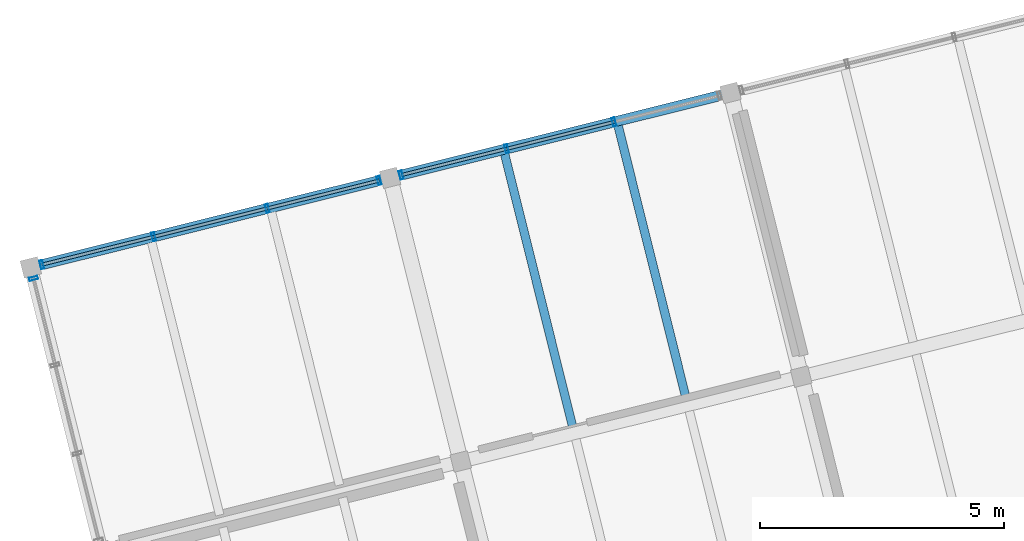
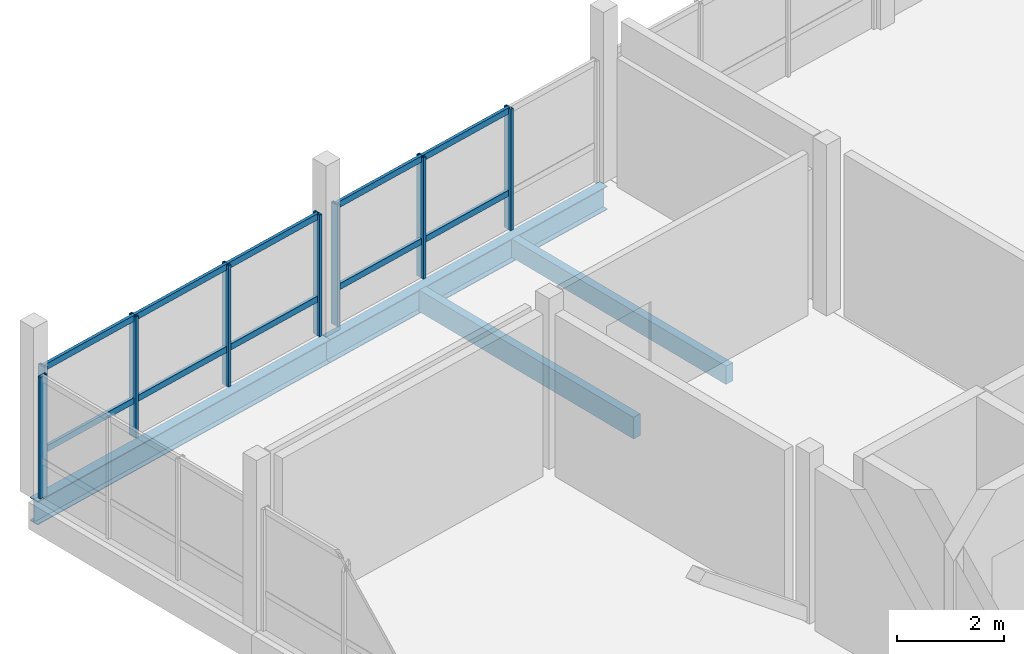
# One storey, part 15 of 26: 18 members, 4 beams, 3 elements without a shape of their own.
"""IFC4 building model written with IfcOpenShell, lengths in metres."""

from ifc_helpers import new_model, si_unit, direction, frame, origin, origin_2d, place, context, subcontext, project, spatial, rectangle, hollow_rectangle, i_section, extrude, material, layer, layer_set, material_profile, profile_set, type_object, element, aggregate, save


model = new_model("IFC4")

# Units and contexts
model_context = context("Model", 3, precision=1e-05, world=origin(), true_north=direction((0.0, 1.0)))
body_context = subcontext(model_context, "Body", "Model", "MODEL_VIEW")
ifc_project = project(units=[si_unit("LENGTHUNIT", "METRE"), si_unit("AREAUNIT", "SQUARE_METRE"), si_unit("VOLUMEUNIT", "CUBIC_METRE"), si_unit("PLANEANGLEUNIT", "RADIAN"), si_unit("MASSUNIT", "GRAM", prefix="KILO")], contexts=[model_context])

# Site, building, storey
site_placement = place(None, origin())
site = spatial("IfcSite", under=ifc_project, at=site_placement, CompositionType="ELEMENT")
building_placement = place(site_placement, origin())
building = spatial("IfcBuilding", under=site, at=building_placement, Name="Meriwether Solvik Hall", CompositionType="ELEMENT")
storey_placement = place(building_placement, frame((0.0, 0.0, 41.699951171875)))
storey = spatial("IfcBuildingStorey", under=building, at=storey_placement, Name="L10", CompositionType="ELEMENT", Elevation=41.699951171875)

# Beams
ifc_material_1 = material(Name="Steel A992 Grade 50", Category="steel")
ifc_material_profile_1 = material_profile(ifc_material_1, i_section(OverallWidth=0.2099609375, OverallDepth=0.537109375, WebThickness=0.010986328125, FlangeThickness=0.017333984375, at=origin_2d()), Name="W21X68")
ifc_profile_set_1 = profile_set([ifc_material_profile_1], Name="Steel A992 Grade 50")
beam_type_1 = type_object("IfcBeamType", Name="BM-STL-W21X68", PredefinedType="SPANDREL", material=ifc_profile_set_1)
beam_1_placement = place(storey_placement, frame((60.374755859375, 74.18994140625, -0.448486328125), z_axis=(0.970295366785, 0.241923337436, 0.0), x_axis=(-0.241923337436, 0.970295366785, 0.0)))
element("IfcBeam", 1, at=beam_1_placement, inside=storey, type_object=beam_type_1, Name="Tower Girder TF:T1-T2 (L10)", PredefinedType="SPANDREL", context=body_context, shape_type="SweptSolid", body=[
    extrude(i_section(OverallWidth=0.2099609375, OverallDepth=0.537109375, WebThickness=0.010986328125, FlangeThickness=0.017333984375, at=origin_2d()), origin(), (0.0, 0.0, 1.0), 7.60009765625),
])
beam_2_placement = place(storey_placement, frame((67.7490234375, 76.028564453125, -0.448486328125), z_axis=(0.970291911955, 0.241937193493, 0.0), x_axis=(-0.241937193493, 0.970291911955, 0.0)))
element("IfcBeam", 2, at=beam_2_placement, inside=storey, type_object=beam_type_1, Name="Tower Girder TF:T2-T3 (L10)", PredefinedType="SPANDREL", context=body_context, shape_type="SweptSolid", body=[
    extrude(i_section(OverallWidth=0.2099609375, OverallDepth=0.537109375, WebThickness=0.010986328125, FlangeThickness=0.017333984375, at=origin_2d()), origin(), (0.0, 0.0, 1.0), 7.199951171875),
])

# Curtain wall, members
ifc_material_2 = material(Name="Thermally Broken Anodised Aluminium 6063-T6 and Low-E Glass", Category="aluminium")
ifc_layer_1 = layer(ifc_material_2, 0.179931640625)
ifc_layer_set_1 = layer_set([ifc_layer_1], Name="Thermally Broken Anodised Aluminium 6063-T6 and Low-E Glass")
curtain_wall_type_1 = type_object("IfcCurtainWallType", Name="CW-UNIT-G", PredefinedType="USERDEFINED", material=ifc_layer_set_1)
curtain_wall_1_placement = place(storey_placement, origin())
curtain_wall_1 = element("IfcCurtainWall", 3, at=curtain_wall_1_placement, inside=storey, type_object=curtain_wall_type_1, Name="Curtain Wall E6_B0 (L10)", ObjectType="UNITISED CURTAIN WALL", PredefinedType="USERDEFINED")
ifc_material_3 = material(Name="Anodised Aluminium 6063-T6", Category="aluminium")
ifc_material_profile_2 = material_profile(ifc_material_3, hollow_rectangle(XDim=0.06494140625, YDim=0.179931640625, WallThickness=0.00439453125, at=origin_2d()), Name="CWM-65X180")
ifc_profile_set_2 = profile_set([ifc_material_profile_2], Name="Anodised Aluminium 6063-T6")
member_type_1 = type_object("IfcMemberType", Name="CW-MUL-65X180", PredefinedType="MULLION", material=ifc_profile_set_2)
member_1_placement = place(storey_placement, frame((60.600341796875, 74.246337890625, 0.0), z_axis=(0.0, 0.0, 1.0), x_axis=(0.97029575617, 0.241921775701, 0.0)))
member_1 = element("IfcMember", 4, at=member_1_placement, type_object=member_type_1, Name="Curtain Wall Mullion 1", PredefinedType="MULLION", context=body_context, shape_type="SweptSolid", body=[
    extrude(hollow_rectangle(XDim=0.06494140625, YDim=0.179931640625, WallThickness=0.00439453125, at=origin_2d()), origin(), (0.0, 0.0, 1.0), 2.77001953125),
])
member_2_placement = place(storey_placement, frame((62.895751953125, 74.818603515625, 0.0), z_axis=(0.0, 0.0, 1.0), x_axis=(0.97029575617, 0.241921775701, 0.0)))
member_2 = element("IfcMember", 5, at=member_2_placement, type_object=member_type_1, Name="Curtain Wall Mullion 2", PredefinedType="MULLION", context=body_context, shape_type="SweptSolid", body=[
    extrude(hollow_rectangle(XDim=0.06494140625, YDim=0.179931640625, WallThickness=0.00439453125, at=origin_2d()), origin(), (0.0, 0.0, 1.0), 2.77001953125),
])
member_3_placement = place(storey_placement, frame((65.22802734375, 75.400146484375, 0.0), z_axis=(0.0, 0.0, 1.0), x_axis=(0.97029575617, 0.241921775701, 0.0)))
member_3 = element("IfcMember", 6, at=member_3_placement, type_object=member_type_1, Name="Curtain Wall Mullion 3", PredefinedType="MULLION", context=body_context, shape_type="SweptSolid", body=[
    extrude(hollow_rectangle(XDim=0.06494140625, YDim=0.179931640625, WallThickness=0.00439453125, at=origin_2d()), origin(), (0.0, 0.0, 1.0), 2.77001953125),
])
member_4_placement = place(storey_placement, frame((67.523193359375, 75.972412109375, 0.0), z_axis=(0.0, 0.0, 1.0), x_axis=(0.97029575617, 0.241921775701, 0.0)))
member_4 = element("IfcMember", 7, at=member_4_placement, type_object=member_type_1, Name="Curtain Wall Mullion 4", PredefinedType="MULLION", context=body_context, shape_type="SweptSolid", body=[
    extrude(hollow_rectangle(XDim=0.06494140625, YDim=0.179931640625, WallThickness=0.00439453125, at=origin_2d()), origin(), (0.0, 0.0, 1.0), 2.77001953125),
])

ifc_material_4 = material(Name="Thermally Broken Anodised Aluminium 6063-T6 and Low-E Glass", Category="aluminium")
ifc_layer_2 = layer(ifc_material_4, 0.179931640625)
ifc_layer_set_2 = layer_set([ifc_layer_2], Name="Thermally Broken Anodised Aluminium 6063-T6 and Low-E Glass")
curtain_wall_type_2 = type_object("IfcCurtainWallType", Name="CW-UNIT-A", PredefinedType="USERDEFINED", material=ifc_layer_set_2)
curtain_wall_2_placement = place(storey_placement, origin())
curtain_wall_2 = element("IfcCurtainWall", 8, at=curtain_wall_2_placement, inside=storey, type_object=curtain_wall_type_2, Name="Curtain Wall E6_B1 (L10)", ObjectType="UNITISED CURTAIN WALL", PredefinedType="USERDEFINED")
member_5_placement = place(storey_placement, frame((67.974609375, 76.0849609375, 0.0), z_axis=(0.0, 0.0, 1.0), x_axis=(0.970295725693, 0.241921897937, 0.0)))
member_5 = element("IfcMember", 9, at=member_5_placement, type_object=member_type_1, Name="Curtain Wall Mullion 1", PredefinedType="MULLION", context=body_context, shape_type="SweptSolid", body=[
    extrude(hollow_rectangle(XDim=0.06494140625, YDim=0.179931640625, WallThickness=0.00439453125, at=origin_2d()), origin(), (0.0, 0.0, 1.0), 2.77001953125),
])
member_6_placement = place(storey_placement, frame((70.140625, 76.625, 0.0), z_axis=(0.0, 0.0, 1.0), x_axis=(0.970295725693, 0.241921897937, 0.0)))
member_6 = element("IfcMember", 10, at=member_6_placement, type_object=member_type_1, Name="Curtain Wall Mullion 2", PredefinedType="MULLION", context=body_context, shape_type="SweptSolid", body=[
    extrude(hollow_rectangle(XDim=0.06494140625, YDim=0.179931640625, WallThickness=0.00439453125, at=origin_2d()), origin(), (0.0, 0.0, 1.0), 2.77001953125),
])
member_7_placement = place(storey_placement, frame((72.343505859375, 77.17431640625, 0.0), z_axis=(0.0, 0.0, 1.0), x_axis=(0.970295725693, 0.241921897937, 0.0)))
member_7 = element("IfcMember", 11, at=member_7_placement, type_object=member_type_1, Name="Curtain Wall Mullion 3", PredefinedType="MULLION", context=body_context, shape_type="SweptSolid", body=[
    extrude(hollow_rectangle(XDim=0.06494140625, YDim=0.179931640625, WallThickness=0.00439453125, at=origin_2d()), origin(), (0.0, 0.0, 1.0), 2.77001953125),
])

# Curtain wall, member
ifc_material_5 = material(Name="Thermally Broken Anodised Aluminium 6063-T6 and Low-E Glass", Category="aluminium")
ifc_layer_3 = layer(ifc_material_5, 0.179931640625)
ifc_layer_set_3 = layer_set([ifc_layer_3], Name="Thermally Broken Anodised Aluminium 6063-T6 and Low-E Glass")
curtain_wall_type_3 = type_object("IfcCurtainWallType", Name="CW-UNIT-E", PredefinedType="USERDEFINED", material=ifc_layer_set_3)
curtain_wall_3_placement = place(storey_placement, origin())
curtain_wall_3 = element("IfcCurtainWall", 12, at=curtain_wall_3_placement, inside=storey, type_object=curtain_wall_type_3, Name="Curtain Wall E7_B4 (L10)", ObjectType="UNITISED CURTAIN WALL", PredefinedType="USERDEFINED")
member_8_placement = place(storey_placement, frame((60.430908203125, 73.96435546875, 0.0), z_axis=(0.0, 0.0, 1.0), x_axis=(-0.241921949893, 0.970295712739, 0.0)))
member_8 = element("IfcMember", 13, at=member_8_placement, type_object=member_type_1, Name="Curtain Wall Mullion 4", PredefinedType="MULLION", context=body_context, shape_type="SweptSolid", body=[
    extrude(hollow_rectangle(XDim=0.06494140625, YDim=0.179931640625, WallThickness=0.00439453125, at=origin_2d()), origin(), (0.0, 0.0, 1.0), 2.77001953125),
])
aggregate(curtain_wall_3, [member_8])

# Member
ifc_material_6 = material(Name="Anodised Aluminium 6063-T6", Category="aluminium")
ifc_material_profile_3 = material_profile(ifc_material_6, hollow_rectangle(XDim=0.06494140625, YDim=0.139892578125, WallThickness=0.00439453125, at=origin_2d()), Name="CWT-65X140")
ifc_profile_set_3 = profile_set([ifc_material_profile_3], Name="Anodised Aluminium 6063-T6")
member_type_2 = type_object("IfcMemberType", Name="CW-TRN-65X140", PredefinedType="USERDEFINED", material=ifc_profile_set_3)
member_9_placement = place(storey_placement, frame((60.600341796875, 74.246337890625, 0.8310546875), z_axis=(0.970300132238, 0.241904223566, 0.0), x_axis=(-0.241904223566, 0.970300132238, 0.0)))
member_9 = element("IfcMember", 14, at=member_9_placement, type_object=member_type_2, Name="Curtain Wall Transom 1-sill", ObjectType="TRANSOM", PredefinedType="USERDEFINED", context=body_context, shape_type="SweptSolid", body=[
    extrude(hollow_rectangle(XDim=0.06494140625, YDim=0.139892578125, WallThickness=0.00439453125, at=origin_2d()), origin(), (0.0, 0.0, 1.0), 2.36572265625),
])

member_10_placement = place(storey_placement, frame((60.600341796875, 74.246337890625, 2.7099609375), z_axis=(0.970300132238, 0.241904223566, 0.0), x_axis=(-0.241904223566, 0.970300132238, 0.0)))
member_10 = element("IfcMember", 15, at=member_10_placement, type_object=member_type_2, Name="Curtain Wall Transom 1-head", ObjectType="TRANSOM", PredefinedType="USERDEFINED", context=body_context, shape_type="SweptSolid", body=[
    extrude(hollow_rectangle(XDim=0.06494140625, YDim=0.139892578125, WallThickness=0.00439453125, at=origin_2d()), origin(), (0.0, 0.0, 1.0), 2.36572265625),
])

member_11_placement = place(storey_placement, frame((62.895751953125, 74.818603515625, 0.8310546875), z_axis=(0.970291682811, 0.241938112473, 0.0), x_axis=(-0.241938112473, 0.970291682811, 0.0)))
member_11 = element("IfcMember", 16, at=member_11_placement, type_object=member_type_2, Name="Curtain Wall Transom 2-sill", ObjectType="TRANSOM", PredefinedType="USERDEFINED", context=body_context, shape_type="SweptSolid", body=[
    extrude(hollow_rectangle(XDim=0.06494140625, YDim=0.139892578125, WallThickness=0.00439453125, at=origin_2d()), origin(), (0.0, 0.0, 1.0), 2.403564453125),
])

member_12_placement = place(storey_placement, frame((62.895751953125, 74.818603515625, 2.7099609375), z_axis=(0.970291682811, 0.241938112473, 0.0), x_axis=(-0.241938112473, 0.970291682811, 0.0)))
member_12 = element("IfcMember", 17, at=member_12_placement, type_object=member_type_2, Name="Curtain Wall Transom 2-head", ObjectType="TRANSOM", PredefinedType="USERDEFINED", context=body_context, shape_type="SweptSolid", body=[
    extrude(hollow_rectangle(XDim=0.06494140625, YDim=0.139892578125, WallThickness=0.00439453125, at=origin_2d()), origin(), (0.0, 0.0, 1.0), 2.403564453125),
])

member_13_placement = place(storey_placement, frame((65.22802734375, 75.400146484375, 0.8310546875), z_axis=(0.970294092223, 0.241928449332, 0.0), x_axis=(-0.241928449332, 0.970294092223, 0.0)))
member_13 = element("IfcMember", 18, at=member_13_placement, type_object=member_type_2, Name="Curtain Wall Transom 3-sill", ObjectType="TRANSOM", PredefinedType="USERDEFINED", context=body_context, shape_type="SweptSolid", body=[
    extrude(hollow_rectangle(XDim=0.06494140625, YDim=0.139892578125, WallThickness=0.00439453125, at=origin_2d()), origin(), (0.0, 0.0, 1.0), 2.365478515625),
])

member_14_placement = place(storey_placement, frame((65.22802734375, 75.400146484375, 2.7099609375), z_axis=(0.970294092223, 0.241928449332, 0.0), x_axis=(-0.241928449332, 0.970294092223, 0.0)))
member_14 = element("IfcMember", 19, at=member_14_placement, type_object=member_type_2, Name="Curtain Wall Transom 3-head", ObjectType="TRANSOM", PredefinedType="USERDEFINED", context=body_context, shape_type="SweptSolid", body=[
    extrude(hollow_rectangle(XDim=0.06494140625, YDim=0.139892578125, WallThickness=0.00439453125, at=origin_2d()), origin(), (0.0, 0.0, 1.0), 2.365478515625),
])

aggregate(curtain_wall_1, [member_1, member_2, member_3, member_4, member_9, member_10, member_11, member_12, member_13, member_14])

member_15_placement = place(storey_placement, frame((67.974609375, 76.0849609375, 0.8310546875), z_axis=(0.970296702868, 0.241917978668, 0.0), x_axis=(-0.241917978668, 0.970296702868, 0.0)))
member_15 = element("IfcMember", 20, at=member_15_placement, type_object=member_type_2, Name="Curtain Wall Transom 1-sill", ObjectType="TRANSOM", PredefinedType="USERDEFINED", context=body_context, shape_type="SweptSolid", body=[
    extrude(hollow_rectangle(XDim=0.06494140625, YDim=0.139892578125, WallThickness=0.00439453125, at=origin_2d()), origin(), (0.0, 0.0, 1.0), 2.232421875),
])

member_16_placement = place(storey_placement, frame((67.974609375, 76.0849609375, 2.7099609375), z_axis=(0.970296702868, 0.241917978668, 0.0), x_axis=(-0.241917978668, 0.970296702868, 0.0)))
member_16 = element("IfcMember", 21, at=member_16_placement, type_object=member_type_2, Name="Curtain Wall Transom 1-head", ObjectType="TRANSOM", PredefinedType="USERDEFINED", context=body_context, shape_type="SweptSolid", body=[
    extrude(hollow_rectangle(XDim=0.06494140625, YDim=0.139892578125, WallThickness=0.00439453125, at=origin_2d()), origin(), (0.0, 0.0, 1.0), 2.232421875),
])

member_17_placement = place(storey_placement, frame((70.140625, 76.625, 0.8310546875), z_axis=(0.970287814054, 0.241953627576, 0.0), x_axis=(-0.241953627576, 0.970287814054, 0.0)))
member_17 = element("IfcMember", 22, at=member_17_placement, type_object=member_type_2, Name="Curtain Wall Transom 2-sill", ObjectType="TRANSOM", PredefinedType="USERDEFINED", context=body_context, shape_type="SweptSolid", body=[
    extrude(hollow_rectangle(XDim=0.06494140625, YDim=0.139892578125, WallThickness=0.00439453125, at=origin_2d()), origin(), (0.0, 0.0, 1.0), 2.270263671875),
])

member_18_placement = place(storey_placement, frame((70.140625, 76.625, 2.7099609375), z_axis=(0.970287814054, 0.241953627576, 0.0), x_axis=(-0.241953627576, 0.970287814054, 0.0)))
member_18 = element("IfcMember", 23, at=member_18_placement, type_object=member_type_2, Name="Curtain Wall Transom 2-head", ObjectType="TRANSOM", PredefinedType="USERDEFINED", context=body_context, shape_type="SweptSolid", body=[
    extrude(hollow_rectangle(XDim=0.06494140625, YDim=0.139892578125, WallThickness=0.00439453125, at=origin_2d()), origin(), (0.0, 0.0, 1.0), 2.270263671875),
])

aggregate(curtain_wall_2, [member_5, member_6, member_7, member_15, member_16, member_17, member_18])

# Beams
ifc_material_7 = material(Name="Glulam Douglas-Fir 24F-V8 GL28h", Category="wood")
ifc_material_profile_4 = material_profile(ifc_material_7, rectangle(XDim=0.175048828125, YDim=0.419921875, at=origin_2d()), Name="GLJ-175X420")
ifc_profile_set_4 = profile_set([ifc_material_profile_4], Name="Glulam Douglas-Fir 24F-V8 GL28h")
beam_type_2 = type_object("IfcBeamType", Name="JST-GL-175X420", PredefinedType="JOIST", material=ifc_profile_set_4)
beam_3_placement = place(storey_placement, frame((73.825927734375, 71.49560546875, -0.389892578125), z_axis=(-0.241918158317, 0.970296658078, 0.0), x_axis=(-0.970296658078, -0.241918158317, 0.0)))
element("IfcBeam", 24, at=beam_3_placement, inside=storey, type_object=beam_type_2, Name="Glulam Floor Joist T2/TE-J2 (L10)", PredefinedType="JOIST", context=body_context, shape_type="SweptSolid", body=[
    extrude(rectangle(XDim=0.175048828125, YDim=0.419921875, at=origin_2d()), origin(), (0.0, 0.0, 1.0), 5.7685546875),
])
ifc_material_8 = material(Name="Glulam Douglas-Fir 24F-V8 GL28h", Category="wood")
ifc_material_profile_5 = material_profile(ifc_material_8, rectangle(XDim=0.175048828125, YDim=0.4951171875, at=origin_2d()), Name="GLJ-175X495")
ifc_profile_set_5 = profile_set([ifc_material_profile_5], Name="Glulam Douglas-Fir 24F-V8 GL28h")
beam_type_3 = type_object("IfcBeamType", Name="JST-GL-175X495", PredefinedType="JOIST", material=ifc_profile_set_5)
beam_4_placement = place(storey_placement, frame((71.497314453125, 70.9150390625, -0.427490234375), z_axis=(-0.241918158317, 0.970296658078, 0.0), x_axis=(-0.970296658078, -0.241918158317, 0.0)))
element("IfcBeam", 25, at=beam_4_placement, inside=storey, type_object=beam_type_3, Name="Glulam Floor Joist T2/TE-J1 (L10)", PredefinedType="JOIST", context=body_context, shape_type="SweptSolid", body=[
    extrude(rectangle(XDim=0.175048828125, YDim=0.4951171875, at=origin_2d()), origin(), (0.0, 0.0, 1.0), 5.7685546875),
])

save(model, "model.ifc")
